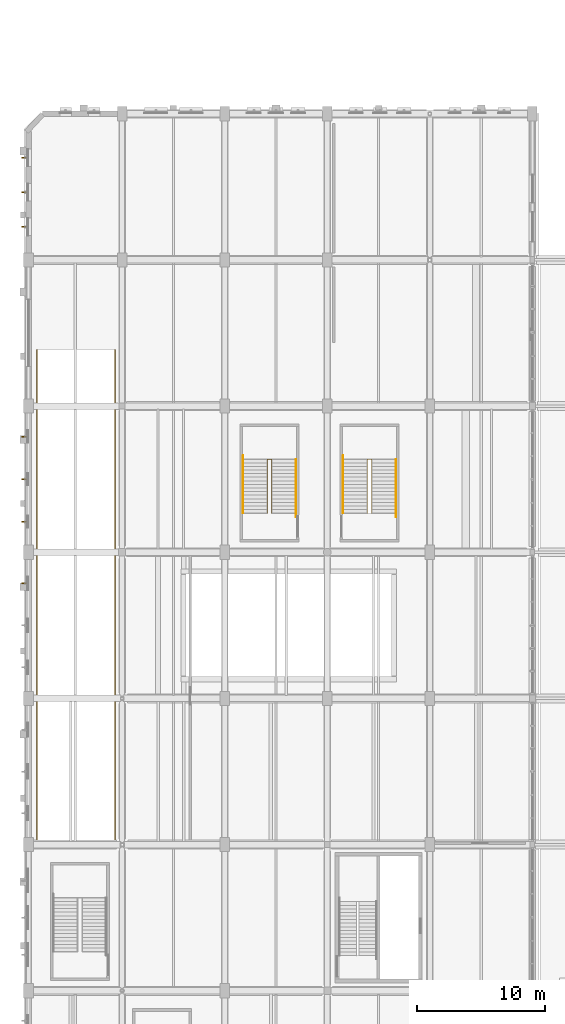
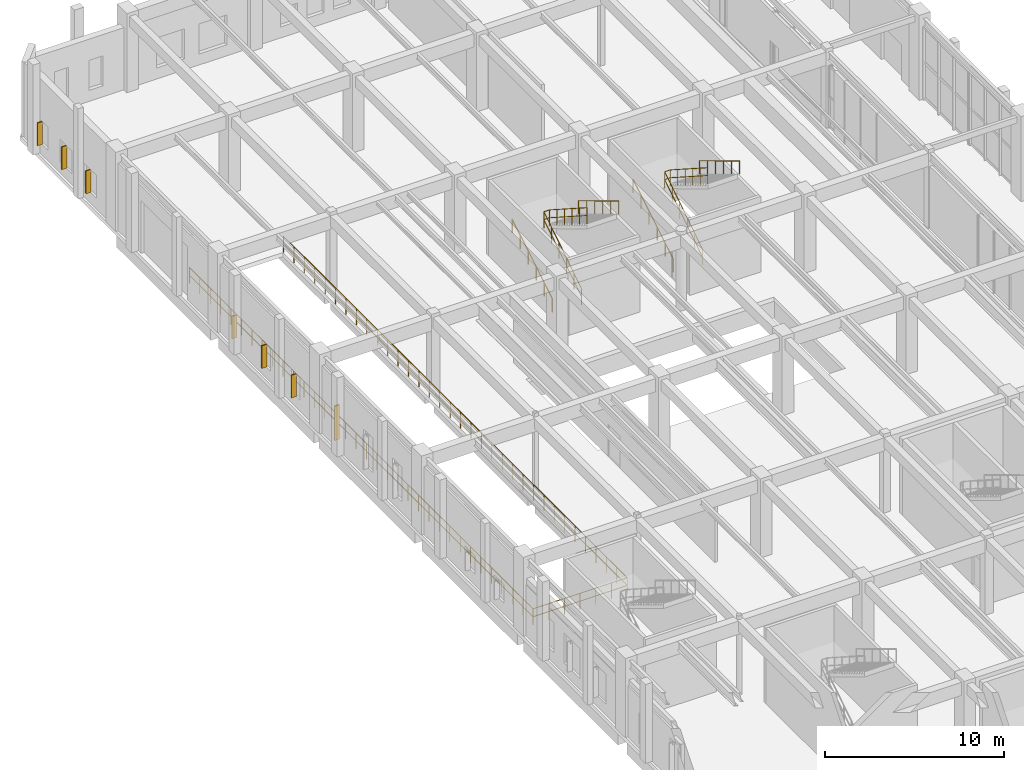
# One storey, part 110 of 113: 7 railings, 7 shading devices.
"""IFC4 building model written with IfcOpenShell, lengths in metres."""

from ifc_helpers import new_model, si_unit, direction, frame, origin, origin_2d, place, context, subcontext, project, spatial, rectangle, circle, extrude, material, type_object, element, save


model = new_model("IFC4")

# Units and contexts
model_context = context("Model", 3, precision=1e-05, world=origin(), true_north=direction((0.0, 1.0)))
body_context = subcontext(model_context, "Body", "Model", "MODEL_VIEW")
ifc_project = project(units=[si_unit("LENGTHUNIT", "METRE"), si_unit("AREAUNIT", "SQUARE_METRE"), si_unit("VOLUMEUNIT", "CUBIC_METRE"), si_unit("PLANEANGLEUNIT", "RADIAN"), si_unit("MASSUNIT", "GRAM", prefix="KILO"), si_unit("POWERUNIT", "WATT"), si_unit("THERMODYNAMICTEMPERATUREUNIT", "KELVIN")], contexts=[model_context])

# Site, building, storey
site_placement = place(None, origin())
site = spatial("IfcSite", under=ifc_project, at=site_placement, CompositionType="ELEMENT")
building_placement = place(site_placement, origin())
building = spatial("IfcBuilding", under=site, at=building_placement, Name="Kelmbourne Parkland Aquatics Centre", CompositionType="ELEMENT")
storey_placement = place(building_placement, origin())
storey = spatial("IfcBuildingStorey", under=building, at=storey_placement, Name="L00", CompositionType="ELEMENT", Elevation=0.0)

# Railings
ifc_material_1 = material(Name="Grade 316 marine stainless steel", Category="steel")
railing_type_1 = type_object("IfcRailingType", Name="RL-GD-112", PredefinedType="GUARDRAIL", material=ifc_material_1)
railing_1_placement = place(storey_placement, frame((27.1201171875, 72.25, 0.0)))
element("IfcRailing", 1, at=railing_1_placement, inside=storey, type_object=railing_type_1, Name="West North Prow Exit Stair well guardrail", PredefinedType="GUARDRAIL", context=body_context, shape_type="SweptSolid", body=[
    extrude(circle(Radius=0.02392578125, at=origin_2d()), frame((0.0, 0.0, 1.09619140625), z_axis=(0.0, 0.841180064094, 0.540755119968), x_axis=(-1.0, 0.0, 0.0)), (0.0, 0.0, 1.0), 4.992919921875),
    extrude(circle(Radius=0.02392578125, at=origin_2d()), frame((0.0, 0.0, 0.56005859375), z_axis=(0.0, 0.841180064094, 0.540755119968), x_axis=(-1.0, 0.0, 0.0)), (0.0, 0.0, 1.0), 4.992919921875),
    extrude(circle(Radius=0.02392578125, at=origin_2d()), frame((0.0, 4.199951171875, 3.7958984375), z_axis=(1.0, 0.0, 0.0), x_axis=(0.0, 1.0, 0.0)), (0.0, 0.0, 1.0), 0.35986328125),
    extrude(circle(Radius=0.02392578125, at=origin_2d()), frame((0.0, 4.199951171875, 3.260009765625), z_axis=(1.0, 0.0, 0.0), x_axis=(0.0, 1.0, 0.0)), (0.0, 0.0, 1.0), 0.35986328125),
    extrude(circle(Radius=0.02392578125, at=origin_2d()), frame((0.35986328125, 4.199951171875, 3.7958984375), z_axis=(0.0, -0.841180064094, 0.540755119968), x_axis=(1.0, 0.0, 0.0)), (0.0, 0.0, 1.0), 4.992919921875),
    extrude(circle(Radius=0.02392578125, at=origin_2d()), frame((0.35986328125, 4.199951171875, 3.260009765625), z_axis=(0.0, -0.841180064094, 0.540755119968), x_axis=(1.0, 0.0, 0.0)), (0.0, 0.0, 1.0), 4.992919921875),
    extrude(circle(Radius=0.02099609375, at=origin_2d()), origin(), (0.0, 0.0, 1.0), 1.072021484375),
    extrude(circle(Radius=0.02099609375, at=origin_2d()), frame((0.0, 0.840087890625, 0.5400390625)), (0.0, 0.0, 1.0), 1.072021484375),
    extrude(circle(Radius=0.02099609375, at=origin_2d()), frame((0.0, 1.679931640625, 1.080078125)), (0.0, 0.0, 1.0), 1.072021484375),
    extrude(circle(Radius=0.02099609375, at=origin_2d()), frame((0.0, 2.52001953125, 1.619873046875)), (0.0, 0.0, 1.0), 1.072021484375),
    extrude(circle(Radius=0.02099609375, at=origin_2d()), frame((0.0, 3.35986328125, 2.159912109375)), (0.0, 0.0, 1.0), 1.072021484375),
    extrude(circle(Radius=0.02099609375, at=origin_2d()), frame((0.0, 4.199951171875, 2.699951171875)), (0.0, 0.0, 1.0), 1.072021484375),
    extrude(circle(Radius=0.02099609375, at=origin_2d()), frame((0.35986328125, 4.199951171875, 2.699951171875)), (0.0, 0.0, 1.0), 1.072021484375),
    extrude(circle(Radius=0.02099609375, at=origin_2d()), frame((0.35986328125, 3.35986328125, 3.239990234375)), (0.0, 0.0, 1.0), 1.072021484375),
    extrude(circle(Radius=0.02099609375, at=origin_2d()), frame((0.35986328125, 2.52001953125, 3.780029296875)), (0.0, 0.0, 1.0), 1.072021484375),
    extrude(circle(Radius=0.02099609375, at=origin_2d()), frame((0.35986328125, 1.679931640625, 4.31982421875)), (0.0, 0.0, 1.0), 1.072021484375),
    extrude(circle(Radius=0.02099609375, at=origin_2d()), frame((0.35986328125, 0.840087890625, 4.85986328125)), (0.0, 0.0, 1.0), 1.072021484375),
    extrude(circle(Radius=0.02099609375, at=origin_2d()), frame((0.35986328125, 0.0, 5.39990234375)), (0.0, 0.0, 1.0), 1.072021484375),
])
railing_2_placement = place(storey_placement, frame((19.320068359375, 72.25, 0.0)))
element("IfcRailing", 2, at=railing_2_placement, inside=storey, type_object=railing_type_1, Name="West Mid-Wing Exit Stair well guardrail", PredefinedType="GUARDRAIL", context=body_context, shape_type="SweptSolid", body=[
    extrude(circle(Radius=0.02392578125, at=origin_2d()), frame((0.0, 0.0, 1.09619140625), z_axis=(0.0, 0.841180064094, 0.540755119968), x_axis=(-1.0, 0.0, 0.0)), (0.0, 0.0, 1.0), 4.992919921875),
    extrude(circle(Radius=0.02392578125, at=origin_2d()), frame((0.0, 0.0, 0.56005859375), z_axis=(0.0, 0.841180064094, 0.540755119968), x_axis=(-1.0, 0.0, 0.0)), (0.0, 0.0, 1.0), 4.992919921875),
    extrude(circle(Radius=0.02392578125, at=origin_2d()), frame((0.0, 4.199951171875, 3.7958984375), z_axis=(1.0, 0.0, 0.0), x_axis=(0.0, 1.0, 0.0)), (0.0, 0.0, 1.0), 0.35986328125),
    extrude(circle(Radius=0.02392578125, at=origin_2d()), frame((0.0, 4.199951171875, 3.260009765625), z_axis=(1.0, 0.0, 0.0), x_axis=(0.0, 1.0, 0.0)), (0.0, 0.0, 1.0), 0.35986328125),
    extrude(circle(Radius=0.02392578125, at=origin_2d()), frame((0.35986328125, 4.199951171875, 3.7958984375), z_axis=(0.0, -0.841180064094, 0.540755119968), x_axis=(1.0, 0.0, 0.0)), (0.0, 0.0, 1.0), 4.992919921875),
    extrude(circle(Radius=0.02392578125, at=origin_2d()), frame((0.35986328125, 4.199951171875, 3.260009765625), z_axis=(0.0, -0.841180064094, 0.540755119968), x_axis=(1.0, 0.0, 0.0)), (0.0, 0.0, 1.0), 4.992919921875),
    extrude(circle(Radius=0.02099609375, at=origin_2d()), origin(), (0.0, 0.0, 1.0), 1.072021484375),
    extrude(circle(Radius=0.02099609375, at=origin_2d()), frame((0.0, 0.840087890625, 0.5400390625)), (0.0, 0.0, 1.0), 1.072021484375),
    extrude(circle(Radius=0.02099609375, at=origin_2d()), frame((0.0, 1.679931640625, 1.080078125)), (0.0, 0.0, 1.0), 1.072021484375),
    extrude(circle(Radius=0.02099609375, at=origin_2d()), frame((0.0, 2.52001953125, 1.619873046875)), (0.0, 0.0, 1.0), 1.072021484375),
    extrude(circle(Radius=0.02099609375, at=origin_2d()), frame((0.0, 3.35986328125, 2.159912109375)), (0.0, 0.0, 1.0), 1.072021484375),
    extrude(circle(Radius=0.02099609375, at=origin_2d()), frame((0.0, 4.199951171875, 2.699951171875)), (0.0, 0.0, 1.0), 1.072021484375),
    extrude(circle(Radius=0.02099609375, at=origin_2d()), frame((0.35986328125, 4.199951171875, 2.699951171875)), (0.0, 0.0, 1.0), 1.072021484375),
    extrude(circle(Radius=0.02099609375, at=origin_2d()), frame((0.35986328125, 3.35986328125, 3.239990234375)), (0.0, 0.0, 1.0), 1.072021484375),
    extrude(circle(Radius=0.02099609375, at=origin_2d()), frame((0.35986328125, 2.52001953125, 3.780029296875)), (0.0, 0.0, 1.0), 1.072021484375),
    extrude(circle(Radius=0.02099609375, at=origin_2d()), frame((0.35986328125, 1.679931640625, 4.31982421875)), (0.0, 0.0, 1.0), 1.072021484375),
    extrude(circle(Radius=0.02099609375, at=origin_2d()), frame((0.35986328125, 0.840087890625, 4.85986328125)), (0.0, 0.0, 1.0), 1.072021484375),
    extrude(circle(Radius=0.02099609375, at=origin_2d()), frame((0.35986328125, 0.0, 5.39990234375)), (0.0, 0.0, 1.0), 1.072021484375),
])
railing_3_placement = place(storey_placement, frame((1.360107421875, 85.0, 0.0)))
element("IfcRailing", 3, at=railing_3_placement, inside=storey, type_object=railing_type_1, Name="Vehicle ramp L00 well guardrail", PredefinedType="GUARDRAIL", context=body_context, shape_type="SweptSolid", body=[
    extrude(circle(Radius=0.02392578125, at=origin_2d()), frame((0.0, 0.0, 1.09619140625), z_axis=(0.0, -1.0, 0.0), x_axis=(1.0, 0.0, 0.0)), (0.0, 0.0, 1.0), 38.43994140625),
    extrude(circle(Radius=0.02392578125, at=origin_2d()), frame((0.0, 0.0, 0.56005859375), z_axis=(0.0, -1.0, 0.0), x_axis=(1.0, 0.0, 0.0)), (0.0, 0.0, 1.0), 38.43994140625),
    extrude(circle(Radius=0.02392578125, at=origin_2d()), frame((0.0, -38.43994140625, 1.09619140625), z_axis=(1.0, 0.0, 0.0), x_axis=(0.0, 1.0, 0.0)), (0.0, 0.0, 1.0), 6.079833984375),
    extrude(circle(Radius=0.02392578125, at=origin_2d()), frame((0.0, -38.43994140625, 0.56005859375), z_axis=(1.0, 0.0, 0.0), x_axis=(0.0, 1.0, 0.0)), (0.0, 0.0, 1.0), 6.079833984375),
    extrude(circle(Radius=0.02392578125, at=origin_2d()), frame((6.079833984375, -38.43994140625, 1.09619140625), z_axis=(0.0, 1.0, 0.0), x_axis=(-1.0, 0.0, 0.0)), (0.0, 0.0, 1.0), 38.43994140625),
    extrude(circle(Radius=0.02392578125, at=origin_2d()), frame((6.079833984375, -38.43994140625, 0.56005859375), z_axis=(0.0, 1.0, 0.0), x_axis=(-1.0, 0.0, 0.0)), (0.0, 0.0, 1.0), 38.43994140625),
    extrude(circle(Radius=0.02099609375, at=origin_2d()), origin(), (0.0, 0.0, 1.0), 1.072021484375),
    extrude(circle(Radius=0.02099609375, at=origin_2d()), frame((0.0, -1.164794921875, 0.0)), (0.0, 0.0, 1.0), 1.072021484375),
    extrude(circle(Radius=0.02099609375, at=origin_2d()), frame((0.0, -2.32958984375, 0.0)), (0.0, 0.0, 1.0), 1.072021484375),
    extrude(circle(Radius=0.02099609375, at=origin_2d()), frame((0.0, -3.49462890625, 0.0)), (0.0, 0.0, 1.0), 1.072021484375),
    extrude(circle(Radius=0.02099609375, at=origin_2d()), frame((0.0, -4.659423828125, 0.0)), (0.0, 0.0, 1.0), 1.072021484375),
    extrude(circle(Radius=0.02099609375, at=origin_2d()), frame((0.0, -5.82421875, 0.0)), (0.0, 0.0, 1.0), 1.072021484375),
    extrude(circle(Radius=0.02099609375, at=origin_2d()), frame((0.0, -6.989013671875, 0.0)), (0.0, 0.0, 1.0), 1.072021484375),
    extrude(circle(Radius=0.02099609375, at=origin_2d()), frame((0.0, -8.15380859375, 0.0)), (0.0, 0.0, 1.0), 1.072021484375),
    extrude(circle(Radius=0.02099609375, at=origin_2d()), frame((0.0, -9.31884765625, 0.0)), (0.0, 0.0, 1.0), 1.072021484375),
    extrude(circle(Radius=0.02099609375, at=origin_2d()), frame((0.0, -10.483642578125, 0.0)), (0.0, 0.0, 1.0), 1.072021484375),
    extrude(circle(Radius=0.02099609375, at=origin_2d()), frame((0.0, -11.6484375, 0.0)), (0.0, 0.0, 1.0), 1.072021484375),
    extrude(circle(Radius=0.02099609375, at=origin_2d()), frame((0.0, -12.813232421875, 0.0)), (0.0, 0.0, 1.0), 1.072021484375),
    extrude(circle(Radius=0.02099609375, at=origin_2d()), frame((0.0, -13.978271484375, 0.0)), (0.0, 0.0, 1.0), 1.072021484375),
    extrude(circle(Radius=0.02099609375, at=origin_2d()), frame((0.0, -15.14306640625, 0.0)), (0.0, 0.0, 1.0), 1.072021484375),
    extrude(circle(Radius=0.02099609375, at=origin_2d()), frame((0.0, -16.307861328125, 0.0)), (0.0, 0.0, 1.0), 1.072021484375),
    extrude(circle(Radius=0.02099609375, at=origin_2d()), frame((0.0, -17.47265625, 0.0)), (0.0, 0.0, 1.0), 1.072021484375),
    extrude(circle(Radius=0.02099609375, at=origin_2d()), frame((0.0, -18.637451171875, 0.0)), (0.0, 0.0, 1.0), 1.072021484375),
    extrude(circle(Radius=0.02099609375, at=origin_2d()), frame((0.0, -19.802490234375, 0.0)), (0.0, 0.0, 1.0), 1.072021484375),
    extrude(circle(Radius=0.02099609375, at=origin_2d()), frame((0.0, -20.96728515625, 0.0)), (0.0, 0.0, 1.0), 1.072021484375),
    extrude(circle(Radius=0.02099609375, at=origin_2d()), frame((0.0, -22.132080078125, 0.0)), (0.0, 0.0, 1.0), 1.072021484375),
    extrude(circle(Radius=0.02099609375, at=origin_2d()), frame((0.0, -23.296875, 0.0)), (0.0, 0.0, 1.0), 1.072021484375),
    extrude(circle(Radius=0.02099609375, at=origin_2d()), frame((0.0, -24.461669921875, 0.0)), (0.0, 0.0, 1.0), 1.072021484375),
    extrude(circle(Radius=0.02099609375, at=origin_2d()), frame((0.0, -25.626708984375, 0.0)), (0.0, 0.0, 1.0), 1.072021484375),
    extrude(circle(Radius=0.02099609375, at=origin_2d()), frame((0.0, -26.79150390625, 0.0)), (0.0, 0.0, 1.0), 1.072021484375),
    extrude(circle(Radius=0.02099609375, at=origin_2d()), frame((0.0, -27.956298828125, 0.0)), (0.0, 0.0, 1.0), 1.072021484375),
    extrude(circle(Radius=0.02099609375, at=origin_2d()), frame((0.0, -29.12109375, 0.0)), (0.0, 0.0, 1.0), 1.072021484375),
    extrude(circle(Radius=0.02099609375, at=origin_2d()), frame((0.0, -30.2861328125, 0.0)), (0.0, 0.0, 1.0), 1.072021484375),
    extrude(circle(Radius=0.02099609375, at=origin_2d()), frame((0.0, -31.450927734375, 0.0)), (0.0, 0.0, 1.0), 1.072021484375),
    extrude(circle(Radius=0.02099609375, at=origin_2d()), frame((0.0, -32.61572265625, 0.0)), (0.0, 0.0, 1.0), 1.072021484375),
    extrude(circle(Radius=0.02099609375, at=origin_2d()), frame((0.0, -33.780517578125, 0.0)), (0.0, 0.0, 1.0), 1.072021484375),
    extrude(circle(Radius=0.02099609375, at=origin_2d()), frame((0.0, -34.9453125, 0.0)), (0.0, 0.0, 1.0), 1.072021484375),
    extrude(circle(Radius=0.02099609375, at=origin_2d()), frame((0.0, -36.1103515625, 0.0)), (0.0, 0.0, 1.0), 1.072021484375),
    extrude(circle(Radius=0.02099609375, at=origin_2d()), frame((0.0, -37.275146484375, 0.0)), (0.0, 0.0, 1.0), 1.072021484375),
    extrude(circle(Radius=0.02099609375, at=origin_2d()), frame((0.0, -38.43994140625, 0.0)), (0.0, 0.0, 1.0), 1.072021484375),
    extrude(circle(Radius=0.02099609375, at=origin_2d()), frame((1.01318359375, -38.43994140625, 0.0)), (0.0, 0.0, 1.0), 1.072021484375),
    extrude(circle(Radius=0.02099609375, at=origin_2d()), frame((2.026611328125, -38.43994140625, 0.0)), (0.0, 0.0, 1.0), 1.072021484375),
    extrude(circle(Radius=0.02099609375, at=origin_2d()), frame((3.0400390625, -38.43994140625, 0.0)), (0.0, 0.0, 1.0), 1.072021484375),
    extrude(circle(Radius=0.02099609375, at=origin_2d()), frame((4.05322265625, -38.43994140625, 0.0)), (0.0, 0.0, 1.0), 1.072021484375),
    extrude(circle(Radius=0.02099609375, at=origin_2d()), frame((5.06640625, -38.43994140625, 0.0)), (0.0, 0.0, 1.0), 1.072021484375),
    extrude(circle(Radius=0.02099609375, at=origin_2d()), frame((6.079833984375, -38.43994140625, 0.0)), (0.0, 0.0, 1.0), 1.072021484375),
    extrude(circle(Radius=0.02099609375, at=origin_2d()), frame((6.079833984375, -37.275146484375, 0.0)), (0.0, 0.0, 1.0), 1.072021484375),
    extrude(circle(Radius=0.02099609375, at=origin_2d()), frame((6.079833984375, -36.1103515625, 0.0)), (0.0, 0.0, 1.0), 1.072021484375),
    extrude(circle(Radius=0.02099609375, at=origin_2d()), frame((6.079833984375, -34.9453125, 0.0)), (0.0, 0.0, 1.0), 1.072021484375),
    extrude(circle(Radius=0.02099609375, at=origin_2d()), frame((6.079833984375, -33.780517578125, 0.0)), (0.0, 0.0, 1.0), 1.072021484375),
    extrude(circle(Radius=0.02099609375, at=origin_2d()), frame((6.079833984375, -32.61572265625, 0.0)), (0.0, 0.0, 1.0), 1.072021484375),
    extrude(circle(Radius=0.02099609375, at=origin_2d()), frame((6.079833984375, -31.450927734375, 0.0)), (0.0, 0.0, 1.0), 1.072021484375),
    extrude(circle(Radius=0.02099609375, at=origin_2d()), frame((6.079833984375, -30.2861328125, 0.0)), (0.0, 0.0, 1.0), 1.072021484375),
    extrude(circle(Radius=0.02099609375, at=origin_2d()), frame((6.079833984375, -29.12109375, 0.0)), (0.0, 0.0, 1.0), 1.072021484375),
    extrude(circle(Radius=0.02099609375, at=origin_2d()), frame((6.079833984375, -27.956298828125, 0.0)), (0.0, 0.0, 1.0), 1.072021484375),
    extrude(circle(Radius=0.02099609375, at=origin_2d()), frame((6.079833984375, -26.79150390625, 0.0)), (0.0, 0.0, 1.0), 1.072021484375),
    extrude(circle(Radius=0.02099609375, at=origin_2d()), frame((6.079833984375, -25.626708984375, 0.0)), (0.0, 0.0, 1.0), 1.072021484375),
    extrude(circle(Radius=0.02099609375, at=origin_2d()), frame((6.079833984375, -24.461669921875, 0.0)), (0.0, 0.0, 1.0), 1.072021484375),
    extrude(circle(Radius=0.02099609375, at=origin_2d()), frame((6.079833984375, -23.296875, 0.0)), (0.0, 0.0, 1.0), 1.072021484375),
    extrude(circle(Radius=0.02099609375, at=origin_2d()), frame((6.079833984375, -22.132080078125, 0.0)), (0.0, 0.0, 1.0), 1.072021484375),
    extrude(circle(Radius=0.02099609375, at=origin_2d()), frame((6.079833984375, -20.96728515625, 0.0)), (0.0, 0.0, 1.0), 1.072021484375),
    extrude(circle(Radius=0.02099609375, at=origin_2d()), frame((6.079833984375, -19.802490234375, 0.0)), (0.0, 0.0, 1.0), 1.072021484375),
    extrude(circle(Radius=0.02099609375, at=origin_2d()), frame((6.079833984375, -18.637451171875, 0.0)), (0.0, 0.0, 1.0), 1.072021484375),
    extrude(circle(Radius=0.02099609375, at=origin_2d()), frame((6.079833984375, -17.47265625, 0.0)), (0.0, 0.0, 1.0), 1.072021484375),
    extrude(circle(Radius=0.02099609375, at=origin_2d()), frame((6.079833984375, -16.307861328125, 0.0)), (0.0, 0.0, 1.0), 1.072021484375),
    extrude(circle(Radius=0.02099609375, at=origin_2d()), frame((6.079833984375, -15.14306640625, 0.0)), (0.0, 0.0, 1.0), 1.072021484375),
    extrude(circle(Radius=0.02099609375, at=origin_2d()), frame((6.079833984375, -13.978271484375, 0.0)), (0.0, 0.0, 1.0), 1.072021484375),
    extrude(circle(Radius=0.02099609375, at=origin_2d()), frame((6.079833984375, -12.813232421875, 0.0)), (0.0, 0.0, 1.0), 1.072021484375),
    extrude(circle(Radius=0.02099609375, at=origin_2d()), frame((6.079833984375, -11.6484375, 0.0)), (0.0, 0.0, 1.0), 1.072021484375),
    extrude(circle(Radius=0.02099609375, at=origin_2d()), frame((6.079833984375, -10.483642578125, 0.0)), (0.0, 0.0, 1.0), 1.072021484375),
    extrude(circle(Radius=0.02099609375, at=origin_2d()), frame((6.079833984375, -9.31884765625, 0.0)), (0.0, 0.0, 1.0), 1.072021484375),
    extrude(circle(Radius=0.02099609375, at=origin_2d()), frame((6.079833984375, -8.15380859375, 0.0)), (0.0, 0.0, 1.0), 1.072021484375),
    extrude(circle(Radius=0.02099609375, at=origin_2d()), frame((6.079833984375, -6.989013671875, 0.0)), (0.0, 0.0, 1.0), 1.072021484375),
    extrude(circle(Radius=0.02099609375, at=origin_2d()), frame((6.079833984375, -5.82421875, 0.0)), (0.0, 0.0, 1.0), 1.072021484375),
    extrude(circle(Radius=0.02099609375, at=origin_2d()), frame((6.079833984375, -4.659423828125, 0.0)), (0.0, 0.0, 1.0), 1.072021484375),
    extrude(circle(Radius=0.02099609375, at=origin_2d()), frame((6.079833984375, -3.49462890625, 0.0)), (0.0, 0.0, 1.0), 1.072021484375),
    extrude(circle(Radius=0.02099609375, at=origin_2d()), frame((6.079833984375, -2.32958984375, 0.0)), (0.0, 0.0, 1.0), 1.072021484375),
    extrude(circle(Radius=0.02099609375, at=origin_2d()), frame((6.079833984375, -1.164794921875, 0.0)), (0.0, 0.0, 1.0), 1.072021484375),
    extrude(circle(Radius=0.02099609375, at=origin_2d()), frame((6.079833984375, 0.0, 0.0)), (0.0, 0.0, 1.0), 1.072021484375),
])
railing_type_2 = type_object("IfcRailingType", Name="RL-HR-92", PredefinedType="HANDRAIL", material=ifc_material_1)
railing_4_placement = place(storey_placement, frame((25.239990234375, 72.25, 0.168701171875)))
element("IfcRailing", 4, at=railing_4_placement, inside=storey, type_object=railing_type_2, Name="West North Prow Exit Stair F1 handrail", PredefinedType="HANDRAIL", context=body_context, shape_type="SweptSolid", body=[
    extrude(circle(Radius=0.02392578125, at=origin_2d()), frame((0.0, 0.0, 0.89599609375), z_axis=(0.0, 0.856461642802, 0.516210668632), x_axis=(-1.0, 0.0, 0.0)), (0.0, 0.0, 1.0), 5.230712890625),
    extrude(circle(Radius=0.02099609375, at=origin_2d()), origin(), (0.0, 0.0, 1.0), 0.871826171875),
    extrude(circle(Radius=0.02099609375, at=origin_2d()), frame((0.0, 0.89599609375, 0.5400390625)), (0.0, 0.0, 1.0), 0.871826171875),
    extrude(circle(Radius=0.02099609375, at=origin_2d()), frame((0.0, 1.7919921875, 1.080078125)), (0.0, 0.0, 1.0), 0.871826171875),
    extrude(circle(Radius=0.02099609375, at=origin_2d()), frame((0.0, 2.68798828125, 1.6201171875)), (0.0, 0.0, 1.0), 0.871826171875),
    extrude(circle(Radius=0.02099609375, at=origin_2d()), frame((0.0, 3.583984375, 2.16015625)), (0.0, 0.0, 1.0), 0.871826171875),
    extrude(circle(Radius=0.02099609375, at=origin_2d()), frame((0.0, 4.47998046875, 2.7001953125)), (0.0, 0.0, 1.0), 0.871826171875),
])
railing_5_placement = place(storey_placement, frame((29.360107421875, 76.449951171875, 2.868896484375)))
element("IfcRailing", 5, at=railing_5_placement, inside=storey, type_object=railing_type_2, Name="West North Prow Exit Stair F2 handrail", PredefinedType="HANDRAIL", context=body_context, shape_type="SweptSolid", body=[
    extrude(circle(Radius=0.02392578125, at=origin_2d()), frame((0.0, 0.0, 0.89599609375), z_axis=(0.0, -0.856482277723, 0.516176431026), x_axis=(1.0, 0.0, 0.0)), (0.0, 0.0, 1.0), 5.230712890625),
    extrude(circle(Radius=0.02099609375, at=origin_2d()), origin(), (0.0, 0.0, 1.0), 0.871826171875),
    extrude(circle(Radius=0.02099609375, at=origin_2d()), frame((0.0, -0.89599609375, 0.5400390625)), (0.0, 0.0, 1.0), 0.871826171875),
    extrude(circle(Radius=0.02099609375, at=origin_2d()), frame((0.0, -1.7919921875, 1.080078125)), (0.0, 0.0, 1.0), 0.871826171875),
    extrude(circle(Radius=0.02099609375, at=origin_2d()), frame((0.0, -2.68798828125, 1.619873046875)), (0.0, 0.0, 1.0), 0.871826171875),
    extrude(circle(Radius=0.02099609375, at=origin_2d()), frame((0.0, -3.583984375, 2.159912109375)), (0.0, 0.0, 1.0), 0.871826171875),
    extrude(circle(Radius=0.02099609375, at=origin_2d()), frame((0.0, -4.47998046875, 2.699951171875)), (0.0, 0.0, 1.0), 0.871826171875),
])
railing_6_placement = place(storey_placement, frame((17.43994140625, 72.25, 0.168701171875)))
element("IfcRailing", 6, at=railing_6_placement, inside=storey, type_object=railing_type_2, Name="West Mid-Wing Exit Stair F1 handrail", PredefinedType="HANDRAIL", context=body_context, shape_type="SweptSolid", body=[
    extrude(circle(Radius=0.02392578125, at=origin_2d()), frame((0.0, 0.0, 0.89599609375), z_axis=(0.0, 0.856461642802, 0.516210668632), x_axis=(-1.0, 0.0, 0.0)), (0.0, 0.0, 1.0), 5.230712890625),
    extrude(circle(Radius=0.02099609375, at=origin_2d()), origin(), (0.0, 0.0, 1.0), 0.871826171875),
    extrude(circle(Radius=0.02099609375, at=origin_2d()), frame((0.0, 0.89599609375, 0.5400390625)), (0.0, 0.0, 1.0), 0.871826171875),
    extrude(circle(Radius=0.02099609375, at=origin_2d()), frame((0.0, 1.7919921875, 1.080078125)), (0.0, 0.0, 1.0), 0.871826171875),
    extrude(circle(Radius=0.02099609375, at=origin_2d()), frame((0.0, 2.68798828125, 1.6201171875)), (0.0, 0.0, 1.0), 0.871826171875),
    extrude(circle(Radius=0.02099609375, at=origin_2d()), frame((0.0, 3.583984375, 2.16015625)), (0.0, 0.0, 1.0), 0.871826171875),
    extrude(circle(Radius=0.02099609375, at=origin_2d()), frame((0.0, 4.47998046875, 2.7001953125)), (0.0, 0.0, 1.0), 0.871826171875),
])
railing_7_placement = place(storey_placement, frame((21.56005859375, 76.449951171875, 2.868896484375)))
element("IfcRailing", 7, at=railing_7_placement, inside=storey, type_object=railing_type_2, Name="West Mid-Wing Exit Stair F2 handrail", PredefinedType="HANDRAIL", context=body_context, shape_type="SweptSolid", body=[
    extrude(circle(Radius=0.02392578125, at=origin_2d()), frame((0.0, 0.0, 0.89599609375), z_axis=(0.0, -0.856482277723, 0.516176431026), x_axis=(1.0, 0.0, 0.0)), (0.0, 0.0, 1.0), 5.230712890625),
    extrude(circle(Radius=0.02099609375, at=origin_2d()), origin(), (0.0, 0.0, 1.0), 0.871826171875),
    extrude(circle(Radius=0.02099609375, at=origin_2d()), frame((0.0, -0.89599609375, 0.5400390625)), (0.0, 0.0, 1.0), 0.871826171875),
    extrude(circle(Radius=0.02099609375, at=origin_2d()), frame((0.0, -1.7919921875, 1.080078125)), (0.0, 0.0, 1.0), 0.871826171875),
    extrude(circle(Radius=0.02099609375, at=origin_2d()), frame((0.0, -2.68798828125, 1.619873046875)), (0.0, 0.0, 1.0), 0.871826171875),
    extrude(circle(Radius=0.02099609375, at=origin_2d()), frame((0.0, -3.583984375, 2.159912109375)), (0.0, 0.0, 1.0), 0.871826171875),
    extrude(circle(Radius=0.02099609375, at=origin_2d()), frame((0.0, -4.47998046875, 2.699951171875)), (0.0, 0.0, 1.0), 0.871826171875),
])

# Shading devices
ifc_material_2 = material(Name="Architectural extruded terracotta baguettes", Category="masonry")
shading_device_type = type_object("IfcShadingDeviceType", Name="SHD-FIN-1", PredefinedType="USERDEFINED", material=ifc_material_2)
shading_device_placement = place(storey_placement, frame((0.344970703125, 66.77294921875, 0.75), z_axis=(0.0, 0.0, 1.0), x_axis=(0.0, 1.0, 0.0)))
element("IfcShadingDevice", 8, at=shading_device_placement, inside=storey, type_object=shading_device_type, Name="Terracotta vertical solar fin 015", ObjectType="SOLAR FIN", PredefinedType="USERDEFINED", context=body_context, shape_type="SweptSolid", body=[
    extrude(rectangle(XDim=0.080078125, YDim=0.320068359375, at=origin_2d()), origin(), (0.0, 0.0, 1.0), 2.35009765625),
])
for number, where, z_axis, x_axis, name in (
    (9, (0.344970703125, 71.576904296875, 0.75), (0.0, 0.0, 1.0), (0.0, 1.0, 0.0), "Terracotta vertical solar fin 016"),
    (10, (0.344970703125, 74.89990234375, 0.75), (0.0, 0.0, 1.0), (0.0, 1.0, 0.0), "Terracotta vertical solar fin 017"),
    (11, (0.344970703125, 78.222900390625, 0.75), (0.0, 0.0, 1.0), (0.0, 1.0, 0.0), "Terracotta vertical solar fin 018"),
    (12, (0.344970703125, 94.576904296875, 0.75), (0.0, 0.0, 1.0), (0.0, 1.0, 0.0), "Terracotta vertical solar fin 019"),
    (13, (0.344970703125, 97.27587890625, 0.75), (0.0, 0.0, 1.0), (0.0, 1.0, 0.0), "Terracotta vertical solar fin 020"),
    (14, (0.344970703125, 99.97509765625, 0.75), (0.0, 0.0, 1.0), (0.0, 1.0, 0.0), "Terracotta vertical solar fin 021"),
):
    element("IfcShadingDevice", number, at=place(storey_placement, frame(where, z_axis=z_axis, x_axis=x_axis)), inside=storey, type_object=shading_device_type, Name=name, ObjectType="SOLAR FIN", PredefinedType="USERDEFINED", context=body_context, shape_type="SweptSolid", body=[
        extrude(rectangle(XDim=0.080078125, YDim=0.320068359375, at=origin_2d()), origin(), (0.0, 0.0, 1.0), 1.550048828125),
    ])

save(model, "model.ifc")
